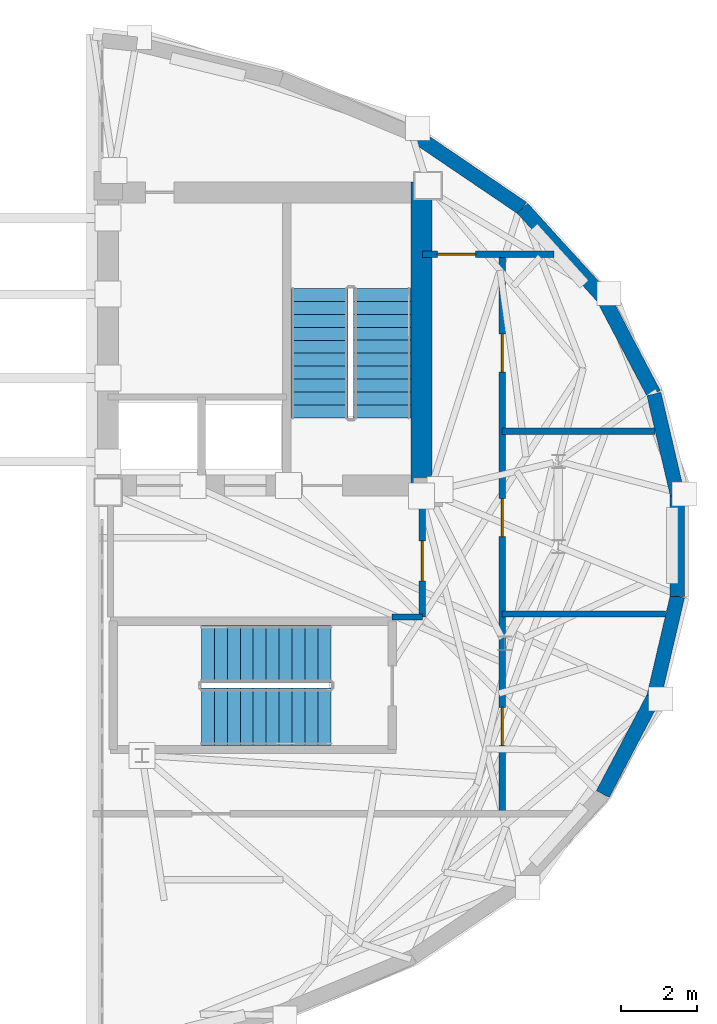
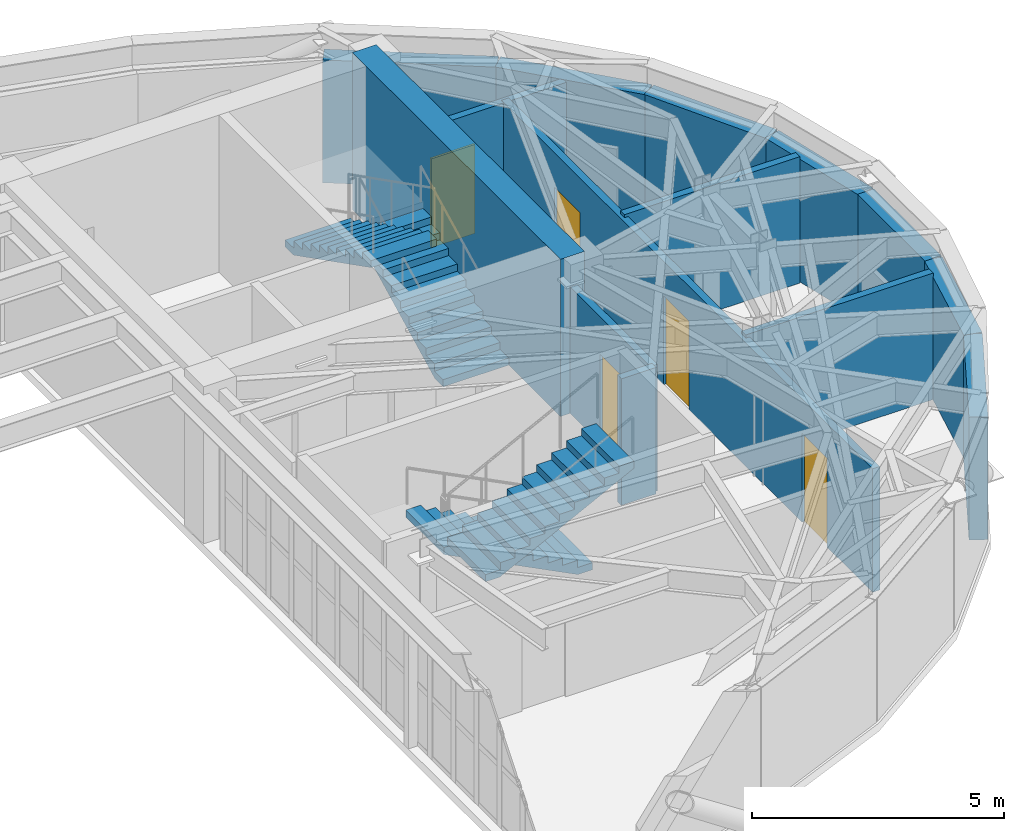
# One storey, part 10 of 13: 14 walls, 5 doors, 4 stair flights, 5 openings, 2 elements without a shape of their own.
"""IFC4 building model written with IfcOpenShell, lengths in metres."""

from ifc_helpers import new_model, si_unit, direction, frame, frame_2d, origin, place, context, subcontext, project, spatial, polyline, rectangle, outline, extrude, material, layer, layer_set, type_object, element, fill, aggregate, save


model = new_model("IFC4")

# Units and contexts
model_context = context("Model", 3, precision=1e-05, world=origin(), true_north=direction((0.0, 1.0)))
body_context = subcontext(model_context, "Body", "Model", "MODEL_VIEW")
ifc_project = project(units=[si_unit("LENGTHUNIT", "METRE"), si_unit("AREAUNIT", "SQUARE_METRE"), si_unit("VOLUMEUNIT", "CUBIC_METRE"), si_unit("PLANEANGLEUNIT", "RADIAN"), si_unit("MASSUNIT", "GRAM", prefix="KILO")], contexts=[model_context])

# Site, building, storey
site_placement = place(None, origin())
site = spatial("IfcSite", under=ifc_project, at=site_placement, CompositionType="ELEMENT")
building_placement = place(site_placement, origin())
building = spatial("IfcBuilding", under=site, at=building_placement, Name="Keldmark Tower", CompositionType="ELEMENT")
storey_placement = place(building_placement, frame((0.0, 0.0, 280.60009765625)))
storey = spatial("IfcBuildingStorey", under=building, at=storey_placement, Name="L79", CompositionType="ELEMENT", Elevation=280.60009765625)

# Walls
ifc_material_1 = material(Name="Kasota Buff Limestone Ashlar Masonry", Category="masonry")
ifc_layer_1 = layer(ifc_material_1, 0.3798828125)
ifc_layer_set_1 = layer_set([ifc_layer_1], Name="Kasota Buff Limestone Ashlar Masonry")
wall_type_1 = type_object("IfcWallType", Name="Crown Kasota Limestone Screen Wall 380 mm", PredefinedType="ELEMENTEDWALL", material=ifc_layer_set_1)
wall_1_placement = place(storey_placement, frame((16.08154296875, 8.858154296875, 0.0), z_axis=(0.0, 0.0, 1.0), x_axis=(-0.827591474152, 0.561330875608, 0.0)))
element("IfcWall", 1, at=wall_1_placement, inside=storey, type_object=wall_type_1, Name="L79 Crown Limestone Enclosure Wall E03", PredefinedType="ELEMENTEDWALL", context=body_context, shape_type="SweptSolid", body=[
    extrude(rectangle(XDim=3.466064453125, YDim=0.3798828125, at=frame_2d((1.73291015625, 0.0))), origin(), (0.0, 0.0, 1.0), 2.969970703125),
])
wall_2_placement = place(storey_placement, frame((18.190673828125, 6.528564453125, 0.0), z_axis=(0.0, 0.0, 1.0), x_axis=(-0.671159432859, 0.741313034881, 0.0)))
element("IfcWall", 2, at=wall_2_placement, inside=storey, type_object=wall_type_1, Name="L79 Crown Limestone Enclosure Wall E04", PredefinedType="ELEMENTEDWALL", context=body_context, shape_type="SweptSolid", body=[
    extrude(rectangle(XDim=3.142578125, YDim=0.3798828125, at=frame_2d((1.5712890625, 0.0))), origin(), (0.0, 0.0, 1.0), 2.969970703125),
])
wall_3_placement = place(storey_placement, frame((19.533203125, 3.981201171875, 0.0), z_axis=(0.0, 0.0, 1.0), x_axis=(-0.466239076721, 0.884658760957, 0.0)))
element("IfcWall", 3, at=wall_3_placement, inside=storey, type_object=wall_type_1, Name="L79 Crown Limestone Enclosure Wall E05", PredefinedType="ELEMENTEDWALL", context=body_context, shape_type="SweptSolid", body=[
    extrude(rectangle(XDim=2.87939453125, YDim=0.3798828125, at=frame_2d((1.439697265625, 0.0))), origin(), (0.0, 0.0, 1.0), 2.969970703125),
])
wall_4_placement = place(storey_placement, frame((20.15234375, 1.334716796875, 0.0), z_axis=(0.0, 0.0, 1.0), x_axis=(-0.227797493786, 0.973708530221, 0.0)))
element("IfcWall", 4, at=wall_4_placement, inside=storey, type_object=wall_type_1, Name="L79 Crown Limestone Enclosure Wall E06", PredefinedType="ELEMENTEDWALL", context=body_context, shape_type="SweptSolid", body=[
    extrude(rectangle(XDim=2.718017578125, YDim=0.3798828125, at=frame_2d((1.35888671875, 0.0))), origin(), (0.0, 0.0, 1.0), 2.969970703125),
])
wall_5_placement = place(storey_placement, frame((20.15234375, -1.334716796875, 0.0), z_axis=(0.0, 0.0, 1.0), x_axis=(0.0, 1.0, 0.0)))
element("IfcWall", 5, at=wall_5_placement, inside=storey, type_object=wall_type_1, Name="L79 Crown Limestone Enclosure Wall E07", PredefinedType="ELEMENTEDWALL", context=body_context, shape_type="SweptSolid", body=[
    extrude(rectangle(XDim=2.66943359375, YDim=0.3798828125, at=frame_2d((1.334716796875, 0.0))), origin(), (0.0, 0.0, 1.0), 2.969970703125),
])
wall_6_placement = place(storey_placement, frame((19.533203125, -3.981201171875, 0.0), z_axis=(0.0, 0.0, 1.0), x_axis=(0.227797493786, 0.973708530221, 0.0)))
element("IfcWall", 6, at=wall_6_placement, inside=storey, type_object=wall_type_1, Name="L79 Crown Limestone Enclosure Wall E08", PredefinedType="ELEMENTEDWALL", context=body_context, shape_type="SweptSolid", body=[
    extrude(rectangle(XDim=2.718017578125, YDim=0.3798828125, at=frame_2d((1.35888671875, 0.0))), origin(), (0.0, 0.0, 1.0), 2.969970703125),
])
wall_7_placement = place(storey_placement, frame((18.190673828125, -6.528564453125, 0.0), z_axis=(0.0, 0.0, 1.0), x_axis=(0.466239076721, 0.884658760957, 0.0)))
element("IfcWall", 7, at=wall_7_placement, inside=storey, type_object=wall_type_1, Name="L79 Crown Limestone Enclosure Wall E09", PredefinedType="ELEMENTEDWALL", context=body_context, shape_type="SweptSolid", body=[
    extrude(rectangle(XDim=2.87939453125, YDim=0.3798828125, at=frame_2d((1.439697265625, 0.0))), origin(), (0.0, 0.0, 1.0), 2.969970703125),
])
ifc_material_2 = material(Name="Concrete C50/60", Category="concrete")
ifc_layer_2 = layer(ifc_material_2, 0.550048828125)
ifc_layer_set_2 = layer_set([ifc_layer_2], Name="Concrete C50/60")
wall_type_2 = type_object("IfcWallType", Name="High-Rise Core Shear Wall 550 mm", PredefinedType="SHEAR", material=ifc_layer_set_2)
wall_8_placement = place(storey_placement, frame((13.425048828125, 1.300048828125, 0.0), z_axis=(0.0, 0.0, 1.0), x_axis=(0.0, 1.0, 0.0)))
element("IfcWall", 8, at=wall_8_placement, inside=storey, type_object=wall_type_2, Name="L79 East Crown Core East Wall", PredefinedType="SHEAR", context=body_context, shape_type="SweptSolid", body=[
    extrude(rectangle(XDim=8.25, YDim=0.550048828125, at=frame_2d((4.125, 0.0))), origin(), (0.0, 0.0, 1.0), 3.7998046875),
])

# Wall, opening, door
ifc_material_3 = material(Name="Type X Fire-Rated Gypsum Partition Assembly", Category="gypsum")
ifc_layer_3 = layer(ifc_material_3, 0.1650390625)
ifc_layer_set_3 = layer_set([ifc_layer_3], Name="Type X Fire-Rated Gypsum Partition Assembly")
wall_type_3 = type_object("IfcWallType", Name="Rated Partition 165 mm", PredefinedType="PARTITIONING", material=ifc_layer_set_3)
wall_9_placement = place(storey_placement, frame((13.449951171875, -1.8798828125, 0.0), z_axis=(0.0, 0.0, 1.0), x_axis=(0.0, 1.0, 0.0)))
wall_9 = element("IfcWall", 9, at=wall_9_placement, inside=storey, type_object=wall_type_3, Name="L79 Rated Partition 165 mm EC-FSAE-E", PredefinedType="PARTITIONING", context=body_context, shape_type="SweptSolid", body=[
    extrude(rectangle(XDim=3.22998046875, YDim=0.1650390625, at=frame_2d((1.614990234375, 0.0))), origin(), (0.0, 0.0, 1.0), 3.060791015625),
])
opening_1_placement = place(wall_9_placement, frame((0.949951171875, 0.0, 0.0)))
opening_1 = element("IfcOpeningElement", 10, at=opening_1_placement, cuts=wall_9, Name="Opening D-FL105", PredefinedType="OPENING", context=body_context, shape_type="SweptSolid", body=[
    extrude(rectangle(XDim=1.050048828125, YDim=2.14990234375, at=frame_2d((0.52490234375, 1.074951171875))), frame((0.0, 0.092529296875, 0.0), z_axis=(0.0, -1.0, 0.0), x_axis=(1.0, 0.0, 0.0)), (0.0, 0.0, 1.0), 0.18505859375),
])
ifc_material_4 = material(Name="Fire-Rated Mineral-Core Door and Vision Lite", Category="metal")
door_type_1 = type_object("IfcDoorType", Name="Fire Lobby Door 1050x2150", OperationType="NOTDEFINED", PredefinedType="DOOR", material=ifc_material_4)
door_1_placement = place(opening_1_placement, origin())
door_1 = element("IfcDoor", 11, at=door_1_placement, inside=storey, type_object=door_type_1, Name="L79 Fire Lobby Door 1050x2150 D-ECFSAE-E-L79", OperationType="SINGLE_SWING_LEFT", OverallHeight=2.14990234375, OverallWidth=1.050048828125, PredefinedType="DOOR", context=body_context, shape_type="SweptSolid", body=[
    extrude(rectangle(XDim=1.050048828125, YDim=2.14990234375, at=frame_2d((0.52490234375, 1.074951171875))), frame((0.0, 0.02490234375, 0.0), z_axis=(0.0, -1.0, 0.0), x_axis=(1.0, 0.0, 0.0)), (0.0, 0.0, 1.0), 0.050048828125),
])
fill(opening_1, door_1)

# Wall
wall_10_placement = place(storey_placement, frame((12.659912109375, -1.8798828125, 0.0), z_axis=(0.0, 0.0, 1.0), x_axis=(1.0, 0.0, 0.0)))
element("IfcWall", 12, at=wall_10_placement, inside=storey, type_object=wall_type_3, Name="L79 Rated Partition 165 mm EC-FSAE-S", PredefinedType="PARTITIONING", context=body_context, shape_type="SweptSolid", body=[
    extrude(rectangle(XDim=0.7900390625, YDim=0.1650390625, at=frame_2d((0.39501953125, 0.0))), origin(), (0.0, 0.0, 1.0), 3.060791015625),
])

# Wall, openings, doors
wall_11_placement = place(storey_placement, frame((15.550048828125, -7.050048828125, 0.0), z_axis=(0.0, 0.0, 1.0), x_axis=(0.0, 1.0, 0.0)))
wall_11 = element("IfcWall", 13, at=wall_11_placement, inside=storey, type_object=wall_type_3, Name="L79 Rated Partition 165 mm EC-ECOR-E", PredefinedType="PARTITIONING", context=body_context, shape_type="SweptSolid", body=[
    extrude(rectangle(XDim=14.699951171875, YDim=0.1650390625, at=frame_2d((7.35009765625, 0.0))), origin(), (0.0, 0.0, 1.0), 2.98681640625),
])
opening_2_placement = place(wall_11_placement, frame((1.800048828125, 0.0, 0.0)))
opening_2 = element("IfcOpeningElement", 14, at=opening_2_placement, cuts=wall_11, Name="Opening D-FD100", PredefinedType="OPENING", context=body_context, shape_type="SweptSolid", body=[
    extrude(rectangle(XDim=1.0, YDim=2.14990234375, at=frame_2d((0.5, 1.074951171875))), frame((0.0, 0.092529296875, 0.0), z_axis=(0.0, -1.0, 0.0), x_axis=(1.0, 0.0, 0.0)), (0.0, 0.0, 1.0), 0.18505859375),
])
opening_3_placement = place(wall_11_placement, frame((7.280029296875, 0.0, 0.0)))
opening_3 = element("IfcOpeningElement", 15, at=opening_3_placement, cuts=wall_11, Name="Opening D-FD100", PredefinedType="OPENING", context=body_context, shape_type="SweptSolid", body=[
    extrude(rectangle(XDim=1.0, YDim=2.14990234375, at=frame_2d((0.5, 1.074951171875))), frame((0.0, 0.092529296875, 0.0), z_axis=(0.0, -1.0, 0.0), x_axis=(1.0, 0.0, 0.0)), (0.0, 0.0, 1.0), 0.18505859375),
])
opening_4_placement = place(wall_11_placement, frame((11.60009765625, 0.0, 0.0)))
opening_4 = element("IfcOpeningElement", 16, at=opening_4_placement, cuts=wall_11, Name="Opening D-FD100", PredefinedType="OPENING", context=body_context, shape_type="SweptSolid", body=[
    extrude(rectangle(XDim=1.0, YDim=2.14990234375, at=frame_2d((0.5, 1.074951171875))), frame((0.0, 0.092529296875, 0.0), z_axis=(0.0, -1.0, 0.0), x_axis=(1.0, 0.0, 0.0)), (0.0, 0.0, 1.0), 0.18505859375),
])
ifc_material_5 = material(Name="Hollow Metal Fire-Rated Corridor Door", Category="metal")
door_type_2 = type_object("IfcDoorType", Name="Fire Door 1000x2150", OperationType="NOTDEFINED", PredefinedType="DOOR", material=ifc_material_5)
door_2_placement = place(opening_2_placement, origin())
door_2 = element("IfcDoor", 17, at=door_2_placement, inside=storey, type_object=door_type_2, Name="L79 Fire Door 1000x2150 D-ECPE1-L79", OperationType="SINGLE_SWING_LEFT", OverallHeight=2.14990234375, OverallWidth=1.0, PredefinedType="DOOR", context=body_context, shape_type="SweptSolid", body=[
    extrude(rectangle(XDim=1.0, YDim=2.14990234375, at=frame_2d((0.5, 1.074951171875))), frame((0.0, 0.02490234375, 0.0), z_axis=(0.0, -1.0, 0.0), x_axis=(1.0, 0.0, 0.0)), (0.0, 0.0, 1.0), 0.050048828125),
])
fill(opening_2, door_2)
door_3_placement = place(opening_3_placement, origin())
door_3 = element("IfcDoor", 18, at=door_3_placement, inside=storey, type_object=door_type_2, Name="L79 Fire Door 1000x2150 D-ECPE2-L79", OperationType="SINGLE_SWING_RIGHT", OverallHeight=2.14990234375, OverallWidth=1.0, PredefinedType="DOOR", context=body_context, shape_type="SweptSolid", body=[
    extrude(rectangle(XDim=1.0, YDim=2.14990234375, at=frame_2d((0.5, 1.074951171875))), frame((0.0, 0.02490234375, 0.0), z_axis=(0.0, -1.0, 0.0), x_axis=(1.0, 0.0, 0.0)), (0.0, 0.0, 1.0), 0.050048828125),
])
fill(opening_3, door_3)
door_4_placement = place(opening_4_placement, origin())
door_4 = element("IfcDoor", 19, at=door_4_placement, inside=storey, type_object=door_type_2, Name="L79 Fire Door 1000x2150 D-ECPE3-L79", OperationType="SINGLE_SWING_LEFT", OverallHeight=2.14990234375, OverallWidth=1.0, PredefinedType="DOOR", context=body_context, shape_type="SweptSolid", body=[
    extrude(rectangle(XDim=1.0, YDim=2.14990234375, at=frame_2d((0.5, 1.074951171875))), frame((0.0, 0.02490234375, 0.0), z_axis=(0.0, -1.0, 0.0), x_axis=(1.0, 0.0, 0.0)), (0.0, 0.0, 1.0), 0.050048828125),
])
fill(opening_4, door_4)

# Wall, opening, door
wall_12_placement = place(storey_placement, frame((13.449951171875, 7.64990234375, 0.0), z_axis=(0.0, 0.0, 1.0), x_axis=(1.0, 0.0, 0.0)))
wall_12 = element("IfcWall", 20, at=wall_12_placement, inside=storey, type_object=wall_type_3, Name="L79 Rated Partition 165 mm EC-NCAP", PredefinedType="PARTITIONING", context=body_context, shape_type="SweptSolid", body=[
    extrude(rectangle(XDim=3.458251953125, YDim=0.1650390625, at=frame_2d((1.72900390625, 0.0))), origin(), (0.0, 0.0, 1.0), 2.968017578125),
])
opening_5_placement = place(wall_12_placement, frame((0.39990234375, 0.0, 0.0)))
opening_5 = element("IfcOpeningElement", 21, at=opening_5_placement, cuts=wall_12, Name="Opening D-FD100", PredefinedType="OPENING", context=body_context, shape_type="SweptSolid", body=[
    extrude(rectangle(XDim=1.0, YDim=2.14990234375, at=frame_2d((0.5, 1.074951171875))), frame((0.0, 0.092529296875, 0.0), z_axis=(0.0, -1.0, 0.0), x_axis=(1.0, 0.0, 0.0)), (0.0, 0.0, 1.0), 0.18505859375),
])
door_5_placement = place(opening_5_placement, origin())
door_5 = element("IfcDoor", 22, at=door_5_placement, inside=storey, type_object=door_type_2, Name="L79 Fire Door 1000x2150 D-ECPN-L79", OperationType="SINGLE_SWING_LEFT", OverallHeight=2.14990234375, OverallWidth=1.0, PredefinedType="DOOR", context=body_context, shape_type="SweptSolid", body=[
    extrude(rectangle(XDim=1.0, YDim=2.14990234375, at=frame_2d((0.5, 1.074951171875))), frame((0.0, 0.02490234375, 0.0), z_axis=(0.0, -1.0, 0.0), x_axis=(1.0, 0.0, 0.0)), (0.0, 0.0, 1.0), 0.050048828125),
])
fill(opening_5, door_5)

# Walls
wall_13_placement = place(storey_placement, frame((15.550048828125, -1.800048828125, 0.0), z_axis=(0.0, 0.0, 1.0), x_axis=(1.0, 0.0, 0.0)))
element("IfcWall", 23, at=wall_13_placement, inside=storey, type_object=wall_type_3, Name="L79 Rated Partition 165 mm EC-EDIV1", PredefinedType="PARTITIONING", context=body_context, shape_type="SweptSolid", body=[
    extrude(rectangle(XDim=4.2900390625, YDim=0.1650390625, at=frame_2d((2.14501953125, 0.0))), origin(), (0.0, 0.0, 1.0), 3.060791015625),
])
wall_14_placement = place(storey_placement, frame((15.550048828125, 3.0, 0.0), z_axis=(0.0, 0.0, 1.0), x_axis=(1.0, 0.0, 0.0)))
element("IfcWall", 24, at=wall_14_placement, inside=storey, type_object=wall_type_3, Name="L79 Rated Partition 165 mm EC-EDIV2", PredefinedType="PARTITIONING", context=body_context, shape_type="SweptSolid", body=[
    extrude(rectangle(XDim=4.009521484375, YDim=0.1650390625, at=frame_2d((2.0048828125, 0.0))), origin(), (0.0, 0.0, 1.0), 3.060791015625),
])

# Stair, stair flights
ifc_material_6 = material(Name="Concrete C40/50", Category="concrete")
stair_type = type_object("IfcStairType", Name="Precast Concrete Core Exit Stair", PredefinedType="HALF_TURN_STAIR", material=ifc_material_6)
stair_1_placement = place(storey_placement, origin())
stair_1 = element("IfcStair", 25, at=stair_1_placement, inside=storey, type_object=stair_type, Name="L79 Exit Stair ST2", PredefinedType="HALF_TURN_STAIR")
ifc_material_7 = material(Name="Concrete C40/50", Category="concrete")
stair_flight_type = type_object("IfcStairFlightType", Name="Precast Concrete Stair Flight 1500 mm", PredefinedType="STRAIGHT", material=ifc_material_7)
stair_flight_1_placement = place(storey_placement, frame((12.39990234375, 3.35009765625, 0.0), z_axis=(0.0, 0.0, 1.0), x_axis=(0.0, 1.0, 0.0)))
stair_flight_1 = element("IfcStairFlight", 26, at=stair_flight_1_placement, type_object=stair_flight_type, Name="ST2 flight 1", NumberOfRisers=11, NumberOfTreads=10, PredefinedType="STRAIGHT", RiserHeight=0.172727273, TreadLength=0.34, context=body_context, shape_type="SweptSolid", body=[
    extrude(outline(polyline([(0.0, 0.0), (0.0, 0.172607421875), (0.340087890625, 0.172607421875), (0.340087890625, 0.345458984375), (0.679931640625, 0.345458984375), (0.679931640625, 0.51806640625), (1.02001953125, 0.51806640625), (1.02001953125, 0.69091796875), (1.360107421875, 0.69091796875), (1.360107421875, 0.863525390625), (1.699951171875, 0.863525390625), (1.699951171875, 1.036376953125), (2.0400390625, 1.036376953125), (2.0400390625, 1.208984375), (2.3798828125, 1.208984375), (2.3798828125, 1.3818359375), (2.719970703125, 1.3818359375), (2.719970703125, 1.554443359375), (3.06005859375, 1.554443359375), (3.06005859375, 1.727294921875), (3.39990234375, 1.727294921875), (3.39990234375, 1.89990234375), (3.39990234375, 1.55908203125), (0.3310546875, 0.0), (0.0, 0.0)])), frame((0.0, 0.75, 0.0), z_axis=(0.0, -1.0, 0.0), x_axis=(1.0, 0.0, 0.0)), (0.0, 0.0, 1.0), 1.5),
])
stair_flight_2_placement = place(storey_placement, frame((10.75, 6.75, 1.89990234375), z_axis=(0.0, 0.0, 1.0), x_axis=(0.0, -1.0, 0.0)))
stair_flight_2 = element("IfcStairFlight", 27, at=stair_flight_2_placement, type_object=stair_flight_type, Name="ST2 flight 2", NumberOfRisers=11, NumberOfTreads=10, PredefinedType="STRAIGHT", RiserHeight=0.172727273, TreadLength=0.34, context=body_context, shape_type="SweptSolid", body=[
    extrude(outline(polyline([(0.0, 0.0), (0.0, 0.172607421875), (0.340087890625, 0.172607421875), (0.340087890625, 0.345458984375), (0.679931640625, 0.345458984375), (0.679931640625, 0.51806640625), (1.02001953125, 0.51806640625), (1.02001953125, 0.69091796875), (1.360107421875, 0.69091796875), (1.360107421875, 0.863525390625), (1.699951171875, 0.863525390625), (1.699951171875, 1.036376953125), (2.0400390625, 1.036376953125), (2.0400390625, 1.208984375), (2.3798828125, 1.208984375), (2.3798828125, 1.3818359375), (2.719970703125, 1.3818359375), (2.719970703125, 1.554443359375), (3.06005859375, 1.554443359375), (3.06005859375, 1.727294921875), (3.39990234375, 1.727294921875), (3.39990234375, 1.89990234375), (3.39990234375, 1.55908203125), (0.3310546875, 0.0), (0.0, 0.0)])), frame((0.0, 0.75, 0.0), z_axis=(0.0, -1.0, 0.0), x_axis=(1.0, 0.0, 0.0)), (0.0, 0.0, 1.0), 1.5),
])
aggregate(stair_1, [stair_flight_1, stair_flight_2])

stair_2_placement = place(storey_placement, origin())
stair_2 = element("IfcStair", 28, at=stair_2_placement, inside=storey, type_object=stair_type, Name="L79 East Crown Exit Stair ST4", PredefinedType="HALF_TURN_STAIR")
stair_flight_3_placement = place(storey_placement, frame((11.050048828125, -2.85009765625, 0.0), z_axis=(0.0, 0.0, 1.0), x_axis=(-1.0, 0.0, 0.0)))
stair_flight_3 = element("IfcStairFlight", 29, at=stair_flight_3_placement, type_object=stair_flight_type, Name="ST4 flight 1", NumberOfRisers=11, NumberOfTreads=10, PredefinedType="STRAIGHT", RiserHeight=0.172727273, TreadLength=0.34, context=body_context, shape_type="SweptSolid", body=[
    extrude(outline(polyline([(0.0, 0.0), (0.0, 0.172607421875), (0.340087890625, 0.172607421875), (0.340087890625, 0.345458984375), (0.679931640625, 0.345458984375), (0.679931640625, 0.51806640625), (1.02001953125, 0.51806640625), (1.02001953125, 0.69091796875), (1.360107421875, 0.69091796875), (1.360107421875, 0.863525390625), (1.699951171875, 0.863525390625), (1.699951171875, 1.036376953125), (2.0400390625, 1.036376953125), (2.0400390625, 1.208984375), (2.3798828125, 1.208984375), (2.3798828125, 1.3818359375), (2.719970703125, 1.3818359375), (2.719970703125, 1.554443359375), (3.06005859375, 1.554443359375), (3.06005859375, 1.727294921875), (3.39990234375, 1.727294921875), (3.39990234375, 1.89990234375), (3.39990234375, 1.55908203125), (0.3310546875, 0.0), (0.0, 0.0)])), frame((0.0, 0.75, 0.0), z_axis=(0.0, -1.0, 0.0), x_axis=(1.0, 0.0, 0.0)), (0.0, 0.0, 1.0), 1.5),
])
stair_flight_4_placement = place(storey_placement, frame((7.64990234375, -4.5, 1.89990234375), z_axis=(0.0, 0.0, 1.0), x_axis=(1.0, 0.0, 0.0)))
stair_flight_4 = element("IfcStairFlight", 30, at=stair_flight_4_placement, type_object=stair_flight_type, Name="ST4 flight 2", NumberOfRisers=11, NumberOfTreads=10, PredefinedType="STRAIGHT", RiserHeight=0.172727273, TreadLength=0.34, context=body_context, shape_type="SweptSolid", body=[
    extrude(outline(polyline([(0.0, 0.0), (0.0, 0.172607421875), (0.340087890625, 0.172607421875), (0.340087890625, 0.345458984375), (0.679931640625, 0.345458984375), (0.679931640625, 0.51806640625), (1.02001953125, 0.51806640625), (1.02001953125, 0.69091796875), (1.360107421875, 0.69091796875), (1.360107421875, 0.863525390625), (1.699951171875, 0.863525390625), (1.699951171875, 1.036376953125), (2.0400390625, 1.036376953125), (2.0400390625, 1.208984375), (2.3798828125, 1.208984375), (2.3798828125, 1.3818359375), (2.719970703125, 1.3818359375), (2.719970703125, 1.554443359375), (3.06005859375, 1.554443359375), (3.06005859375, 1.727294921875), (3.39990234375, 1.727294921875), (3.39990234375, 1.89990234375), (3.39990234375, 1.55908203125), (0.3310546875, 0.0), (0.0, 0.0)])), frame((0.0, 0.75, 0.0), z_axis=(0.0, -1.0, 0.0), x_axis=(1.0, 0.0, 0.0)), (0.0, 0.0, 1.0), 1.5),
])
aggregate(stair_2, [stair_flight_3, stair_flight_4])

save(model, "model.ifc")
